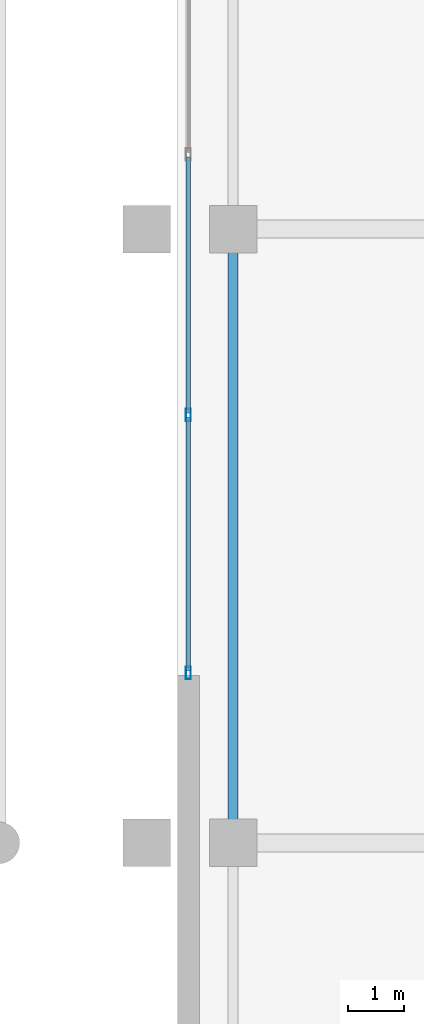
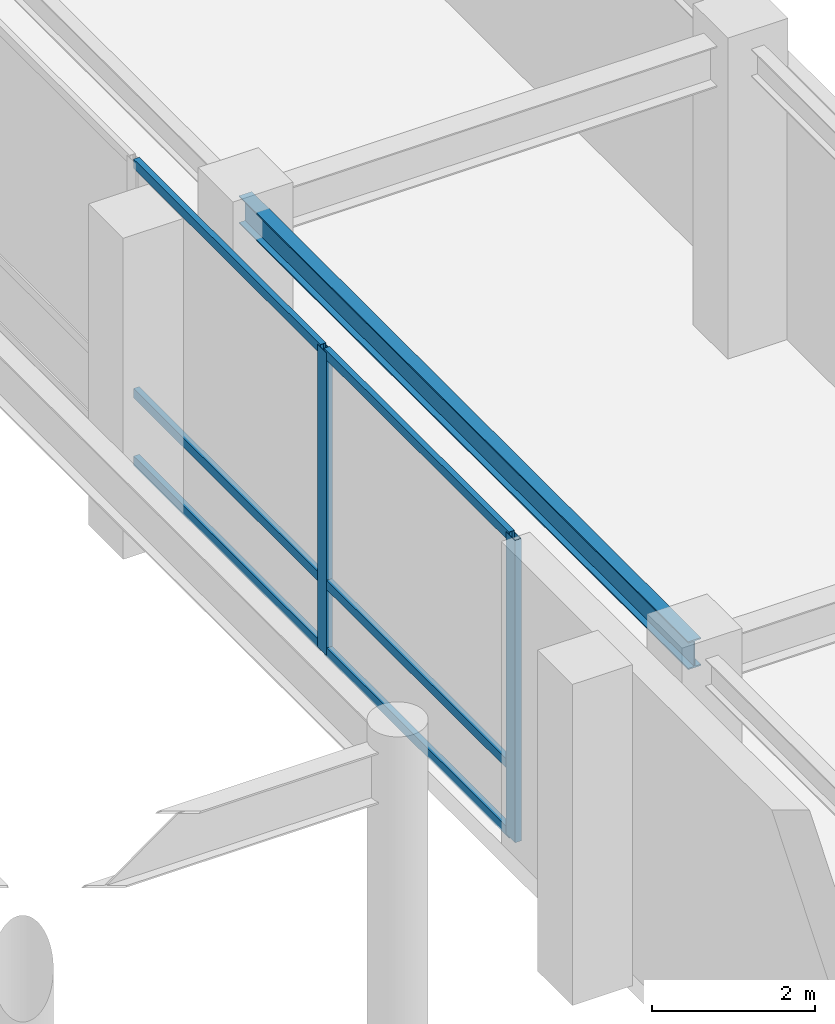
# One storey, part 11 of 40: 8 members, 1 beam, 1 element without a shape of its own.
"""IFC4 building model written with IfcOpenShell, lengths in metres."""

from ifc_helpers import new_model, si_unit, direction, frame, origin, origin_2d, place, context, subcontext, project, spatial, hollow_rectangle, i_section, extrude, material, layer, layer_set, material_profile, profile_set, type_object, element, aggregate, save


model = new_model("IFC4")

# Units and contexts
model_context = context("Model", 3, precision=1e-05, world=origin(), true_north=direction((0.0, 1.0)))
body_context = subcontext(model_context, "Body", "Model", "MODEL_VIEW")
ifc_project = project(units=[si_unit("LENGTHUNIT", "METRE"), si_unit("AREAUNIT", "SQUARE_METRE"), si_unit("VOLUMEUNIT", "CUBIC_METRE"), si_unit("PLANEANGLEUNIT", "RADIAN"), si_unit("MASSUNIT", "GRAM", prefix="KILO")], contexts=[model_context])

# Site, building, storey
site_placement = place(None, origin())
site = spatial("IfcSite", under=ifc_project, at=site_placement, CompositionType="ELEMENT")
building_placement = place(site_placement, origin())
building = spatial("IfcBuilding", under=site, at=building_placement, Name="Kazevale Care Tower and Concert Hall", CompositionType="ELEMENT")
storey_placement = place(building_placement, frame((0.0, 0.0, 9.60009765625)))
storey = spatial("IfcBuildingStorey", under=building, at=storey_placement, Name="L02", CompositionType="ELEMENT", Elevation=9.60009765625)

# Curtain wall, members
ifc_material_1 = material(Name="Aluminium 6063-T6 and Low-E Glass", Category="aluminium")
ifc_layer = layer(ifc_material_1, 0.179931640625)
ifc_layer_set = layer_set([ifc_layer], Name="Aluminium 6063-T6 and Low-E Glass")
curtain_wall_type = type_object("IfcCurtainWallType", Name="Concert Hall Foyer Storefront Curtain Wall CW-6", PredefinedType="NOTDEFINED", material=ifc_layer_set)
curtain_wall_placement = place(storey_placement, origin())
curtain_wall = element("IfcCurtainWall", 1, at=curtain_wall_placement, inside=storey, type_object=curtain_wall_type, Name="cw:L02:hall:W2", PredefinedType="NOTDEFINED")
ifc_material_2 = material(Name="Aluminium 6063-T6", Category="aluminium")
ifc_material_profile_1 = material_profile(ifc_material_2, hollow_rectangle(XDim=0.090087890625, YDim=0.219970703125, WallThickness=0.0048828125, at=origin_2d()), Name="ALU90x220x5")
ifc_profile_set_1 = profile_set([ifc_material_profile_1], Name="Aluminium 6063-T6")
member_type_1 = type_object("IfcMemberType", Name="CW-6 Mullion ALU90x220x5", PredefinedType="MULLION", material=ifc_profile_set_1)
member_1_placement = place(storey_placement, frame((96.199951171875, 32.666748046875, 0.0), z_axis=(0.0, 0.0, 1.0), x_axis=(1.0, 0.0, 0.0)))
member_1 = element("IfcMember", 2, at=member_1_placement, type_object=member_type_1, Name="CW-6 mullion 3", PredefinedType="MULLION", context=body_context, shape_type="SweptSolid", body=[
    extrude(hollow_rectangle(XDim=0.090087890625, YDim=0.219970703125, WallThickness=0.0048828125, at=origin_2d()), origin(), (0.0, 0.0, 1.0), 4.52001953125),
])
member_2_placement = place(storey_placement, frame((96.199951171875, 28.044921875, 0.0), z_axis=(0.0, 0.0, 1.0), x_axis=(1.0, 0.0, 0.0)))
member_2 = element("IfcMember", 3, at=member_2_placement, type_object=member_type_1, Name="CW-6 mullion 4", PredefinedType="MULLION", context=body_context, shape_type="SweptSolid", body=[
    extrude(hollow_rectangle(XDim=0.090087890625, YDim=0.219970703125, WallThickness=0.0048828125, at=origin_2d()), origin(), (0.0, 0.0, 1.0), 4.52001953125),
])
ifc_material_profile_2 = material_profile(ifc_material_2, hollow_rectangle(XDim=0.080078125, YDim=0.139892578125, WallThickness=0.00390625, at=origin_2d()), Name="ALU80x140x4")
ifc_profile_set_2 = profile_set([ifc_material_profile_2], Name="Aluminium 6063-T6")
member_type_2 = type_object("IfcMemberType", Name="CW-6 Transom ALU80x140x4", PredefinedType="USERDEFINED", material=ifc_profile_set_2)
member_3_placement = place(storey_placement, frame((96.199951171875, 37.288330078125, 0.039794921875), z_axis=(0.0, -1.0, 0.0), x_axis=(1.0, 0.0, 0.0)))
member_3 = element("IfcMember", 4, at=member_3_placement, type_object=member_type_2, Name="CW-6 transom 2.1", ObjectType="TRANSOM", PredefinedType="USERDEFINED", context=body_context, shape_type="SweptSolid", body=[
    extrude(hollow_rectangle(XDim=0.080078125, YDim=0.139892578125, WallThickness=0.00390625, at=origin_2d()), origin(), (0.0, 0.0, 1.0), 4.57666015625),
])
member_4_placement = place(storey_placement, frame((96.199951171875, 37.288330078125, 1.0498046875), z_axis=(0.0, -1.0, 0.0), x_axis=(1.0, 0.0, 0.0)))
member_4 = element("IfcMember", 5, at=member_4_placement, type_object=member_type_2, Name="CW-6 transom 2.2", ObjectType="TRANSOM", PredefinedType="USERDEFINED", context=body_context, shape_type="SweptSolid", body=[
    extrude(hollow_rectangle(XDim=0.080078125, YDim=0.139892578125, WallThickness=0.00390625, at=origin_2d()), origin(), (0.0, 0.0, 1.0), 4.57666015625),
])
member_5_placement = place(storey_placement, frame((96.199951171875, 37.288330078125, 4.47998046875), z_axis=(0.0, -1.0, 0.0), x_axis=(1.0, 0.0, 0.0)))
member_5 = element("IfcMember", 6, at=member_5_placement, type_object=member_type_2, Name="CW-6 transom 2.3", ObjectType="TRANSOM", PredefinedType="USERDEFINED", context=body_context, shape_type="SweptSolid", body=[
    extrude(hollow_rectangle(XDim=0.080078125, YDim=0.139892578125, WallThickness=0.00390625, at=origin_2d()), origin(), (0.0, 0.0, 1.0), 4.57666015625),
])
member_6_placement = place(storey_placement, frame((96.199951171875, 32.62158203125, 0.039794921875), z_axis=(0.0, -1.0, 0.0), x_axis=(1.0, 0.0, 0.0)))
member_6 = element("IfcMember", 7, at=member_6_placement, type_object=member_type_2, Name="CW-6 transom 3.1", ObjectType="TRANSOM", PredefinedType="USERDEFINED", context=body_context, shape_type="SweptSolid", body=[
    extrude(hollow_rectangle(XDim=0.080078125, YDim=0.139892578125, WallThickness=0.00390625, at=origin_2d()), origin(), (0.0, 0.0, 1.0), 4.531494140625),
])
member_7_placement = place(storey_placement, frame((96.199951171875, 32.62158203125, 1.0498046875), z_axis=(0.0, -1.0, 0.0), x_axis=(1.0, 0.0, 0.0)))
member_7 = element("IfcMember", 8, at=member_7_placement, type_object=member_type_2, Name="CW-6 transom 3.2", ObjectType="TRANSOM", PredefinedType="USERDEFINED", context=body_context, shape_type="SweptSolid", body=[
    extrude(hollow_rectangle(XDim=0.080078125, YDim=0.139892578125, WallThickness=0.00390625, at=origin_2d()), origin(), (0.0, 0.0, 1.0), 4.531494140625),
])
member_8_placement = place(storey_placement, frame((96.199951171875, 32.62158203125, 4.47998046875), z_axis=(0.0, -1.0, 0.0), x_axis=(1.0, 0.0, 0.0)))
member_8 = element("IfcMember", 9, at=member_8_placement, type_object=member_type_2, Name="CW-6 transom 3.3", ObjectType="TRANSOM", PredefinedType="USERDEFINED", context=body_context, shape_type="SweptSolid", body=[
    extrude(hollow_rectangle(XDim=0.080078125, YDim=0.139892578125, WallThickness=0.00390625, at=origin_2d()), origin(), (0.0, 0.0, 1.0), 4.531494140625),
])
aggregate(curtain_wall, [member_1, member_2, member_3, member_4, member_5, member_6, member_7, member_8])

# Beam
ifc_material_3 = material(Name="Steel ASTM A572 Gr 50", Category="steel")
ifc_material_profile_3 = material_profile(ifc_material_3, i_section(OverallWidth=0.180908203125, OverallDepth=0.4169921875, WebThickness=0.010986328125, FlangeThickness=0.018310546875, at=origin_2d()), Name="W410x85")
ifc_profile_set_3 = profile_set([ifc_material_profile_3], Name="Steel ASTM A572 Gr 50")
beam_type = type_object("IfcBeamType", Name="Concert Hall Secondary Beam W410x85", PredefinedType="BEAM", material=ifc_profile_set_3)
beam_placement = place(storey_placement, frame((97.0, 25.0, 4.3115234375), z_axis=(0.0, 1.0, 0.0), x_axis=(-1.0, 0.0, 0.0)))
element("IfcBeam", 10, at=beam_placement, inside=storey, type_object=beam_type, Name="beam:L02:hy:97_25", PredefinedType="BEAM", context=body_context, shape_type="SweptSolid", body=[
    extrude(i_section(OverallWidth=0.180908203125, OverallDepth=0.4169921875, WebThickness=0.010986328125, FlangeThickness=0.018310546875, at=origin_2d()), origin(), (0.0, 0.0, 1.0), 11.0),
])

save(model, "model.ifc")
